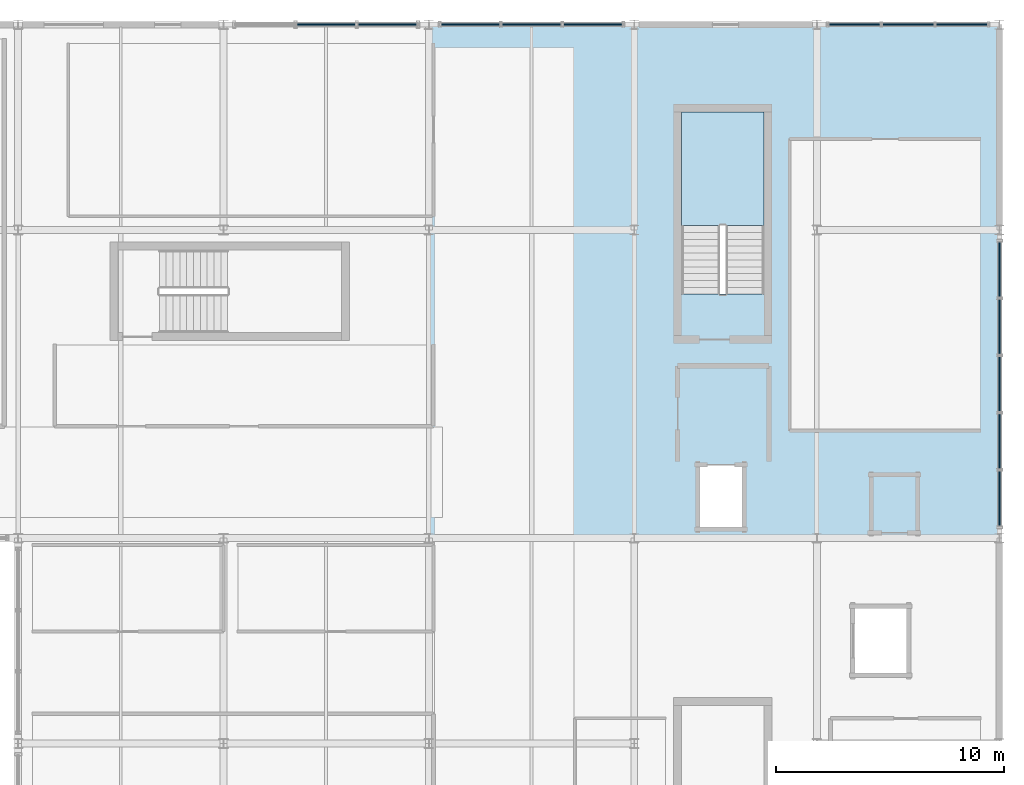
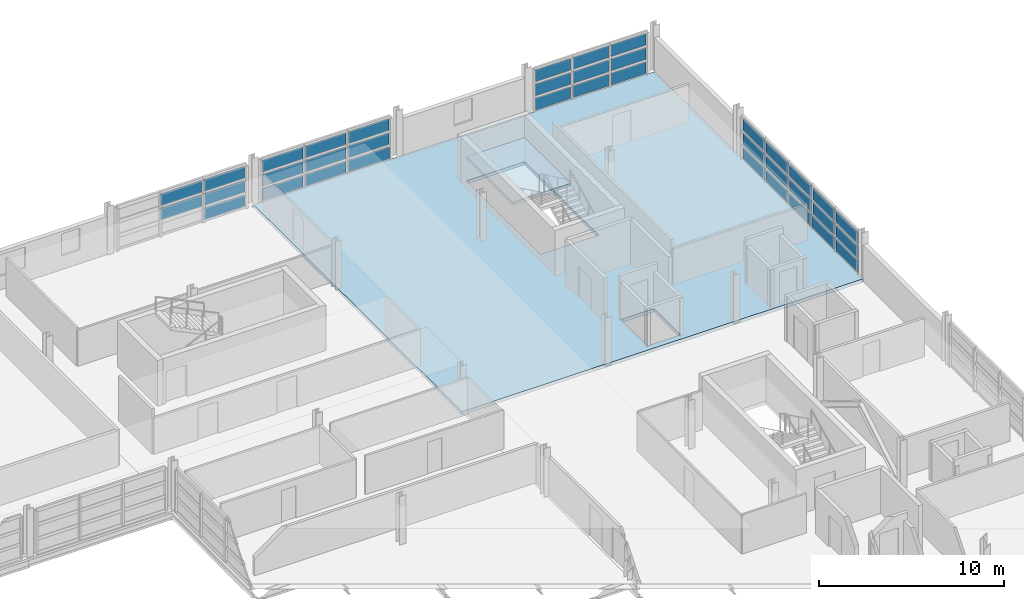
# One storey, part 60 of 86: 38 plates, 2 slabs, 5 elements without a shape of their own.
"""IFC4 building model written with IfcOpenShell, lengths in metres."""

from ifc_helpers import new_model, si_unit, direction, frame, origin, origin_2d, place, context, subcontext, project, spatial, polyline, rectangle, outline, extrude, material, layer, layer_set, type_object, element, aggregate, save


model = new_model("IFC4")

# Units and contexts
model_context = context("Model", 3, precision=1e-05, world=origin(), true_north=direction((0.0, 1.0)))
body_context = subcontext(model_context, "Body", "Model", "MODEL_VIEW")
ifc_project = project(units=[si_unit("LENGTHUNIT", "METRE"), si_unit("AREAUNIT", "SQUARE_METRE"), si_unit("VOLUMEUNIT", "CUBIC_METRE"), si_unit("PLANEANGLEUNIT", "RADIAN"), si_unit("MASSUNIT", "GRAM", prefix="KILO")], contexts=[model_context])

# Site, building, storey
site_placement = place(None, origin())
site = spatial("IfcSite", under=ifc_project, at=site_placement, CompositionType="ELEMENT")
building_placement = place(site_placement, origin())
building = spatial("IfcBuilding", under=site, at=building_placement, Name="Chuanluo Vaults Station", CompositionType="ELEMENT")
storey_placement = place(building_placement, frame((0.0, 0.0, 14.39990234375)))
storey = spatial("IfcBuildingStorey", under=building, at=storey_placement, Name="L03", CompositionType="ELEMENT", Elevation=14.39990234375)

# Curtain wall, plate
ifc_material_1 = material(Name="Anodised aluminium 6063-T6", Category="aluminium")
curtain_wall_type_1 = type_object("IfcCurtainWallType", Name="CW-SYS-05", PredefinedType="NOTDEFINED", material=ifc_material_1)
curtain_wall_1_placement = place(storey_placement, origin())
curtain_wall_1 = element("IfcCurtainWall", 1, at=curtain_wall_1_placement, inside=storey, type_object=curtain_wall_type_1, Name="Operations L03 facade CW", PredefinedType="NOTDEFINED")
ifc_material_2 = material(Name="Ceramic-fritted spandrel glass", Category="glass")
ifc_layer_1 = layer(ifc_material_2, 0.06396484375)
ifc_layer_set_1 = layer_set([ifc_layer_1], Name="Ceramic-fritted spandrel glass")
plate_type_1 = type_object("IfcPlateType", Name="CWP-SPN-42", PredefinedType="SHEET", material=ifc_layer_set_1)
plate_1_placement = place(storey_placement, frame((161.183349609375, 126.0, 0.080078125), z_axis=(0.0, 0.0, 1.0), x_axis=(1.0, 0.0, 0.0)))
plate_1 = element("IfcPlate", 2, at=plate_1_placement, type_object=plate_type_1, Name="Operations L03 facade CW glazed panel 3.1", PredefinedType="SHEET", context=body_context, shape_type="SweptSolid", body=[
    extrude(rectangle(XDim=2.523193359375, YDim=0.06396484375, at=origin_2d()), origin(), (0.0, 0.0, 1.0), 0.773193359375),
])

# Curtain wall, plates
ifc_material_3 = material(Name="Anodised aluminium 6063-T6", Category="aluminium")
curtain_wall_type_2 = type_object("IfcCurtainWallType", Name="CW-SYS-07", PredefinedType="NOTDEFINED", material=ifc_material_3)
curtain_wall_2_placement = place(storey_placement, origin())
curtain_wall_2 = element("IfcCurtainWall", 3, at=curtain_wall_2_placement, inside=storey, type_object=curtain_wall_type_2, Name="Operations L03 facade CW", PredefinedType="NOTDEFINED")
plate_2_placement = place(storey_placement, frame((181.64990234375, 126.0, 0.080078125), z_axis=(0.0, 0.0, 1.0), x_axis=(1.0, 0.0, 0.0)))
plate_2 = element("IfcPlate", 4, at=plate_2_placement, type_object=plate_type_1, Name="Operations L03 facade CW glazed panel 1.1", PredefinedType="SHEET", context=body_context, shape_type="SweptSolid", body=[
    extrude(rectangle(XDim=2.18994140625, YDim=0.06396484375, at=origin_2d()), origin(), (0.0, 0.0, 1.0), 0.773193359375),
])
plate_3_placement = place(storey_placement, frame((184.0, 126.0, 0.080078125), z_axis=(0.0, 0.0, 1.0), x_axis=(1.0, 0.0, 0.0)))
plate_3 = element("IfcPlate", 5, at=plate_3_placement, type_object=plate_type_1, Name="Operations L03 facade CW glazed panel 2.1", PredefinedType="SHEET", context=body_context, shape_type="SweptSolid", body=[
    extrude(rectangle(XDim=2.18994140625, YDim=0.06396484375, at=origin_2d()), origin(), (0.0, 0.0, 1.0), 0.773193359375),
])
plate_4_placement = place(storey_placement, frame((186.35009765625, 126.0, 0.080078125), z_axis=(0.0, 0.0, 1.0), x_axis=(1.0, 0.0, 0.0)))
plate_4 = element("IfcPlate", 6, at=plate_4_placement, type_object=plate_type_1, Name="Operations L03 facade CW glazed panel 3.1", PredefinedType="SHEET", context=body_context, shape_type="SweptSolid", body=[
    extrude(rectangle(XDim=2.18994140625, YDim=0.06396484375, at=origin_2d()), origin(), (0.0, 0.0, 1.0), 0.773193359375),
])

ifc_material_4 = material(Name="Anodised aluminium 6063-T6", Category="aluminium")
curtain_wall_type_3 = type_object("IfcCurtainWallType", Name="CW-SYS-06", PredefinedType="NOTDEFINED", material=ifc_material_4)
curtain_wall_3_placement = place(storey_placement, origin())
curtain_wall_3 = element("IfcCurtainWall", 7, at=curtain_wall_3_placement, inside=storey, type_object=curtain_wall_type_3, Name="Operations L03 facade CW", PredefinedType="NOTDEFINED")
ifc_material_5 = material(Name="Ceramic-fritted spandrel glass", Category="glass")
ifc_layer_2 = layer(ifc_material_5, 0.070068359375)
ifc_layer_set_2 = layer_set([ifc_layer_2], Name="Ceramic-fritted spandrel glass")
plate_type_2 = type_object("IfcPlateType", Name="CWP-SPN-50", PredefinedType="SHEET", material=ifc_layer_set_2)
plate_5_placement = place(storey_placement, frame((164.816650390625, 126.0, 0.080078125), z_axis=(0.0, 0.0, 1.0), x_axis=(1.0, 0.0, 0.0)))
plate_5 = element("IfcPlate", 8, at=plate_5_placement, type_object=plate_type_2, Name="Operations L03 facade CW glazed panel 1.1", PredefinedType="SHEET", context=body_context, shape_type="SweptSolid", body=[
    extrude(rectangle(XDim=2.523193359375, YDim=0.070068359375, at=origin_2d()), origin(), (0.0, 0.0, 1.0), 0.773193359375),
])
plate_6_placement = place(storey_placement, frame((167.5, 126.0, 0.080078125), z_axis=(0.0, 0.0, 1.0), x_axis=(1.0, 0.0, 0.0)))
plate_6 = element("IfcPlate", 9, at=plate_6_placement, type_object=plate_type_2, Name="Operations L03 facade CW glazed panel 2.1", PredefinedType="SHEET", context=body_context, shape_type="SweptSolid", body=[
    extrude(rectangle(XDim=2.523193359375, YDim=0.070068359375, at=origin_2d()), origin(), (0.0, 0.0, 1.0), 0.773193359375),
])
plate_7_placement = place(storey_placement, frame((170.183349609375, 126.0, 0.080078125), z_axis=(0.0, 0.0, 1.0), x_axis=(1.0, 0.0, 0.0)))
plate_7 = element("IfcPlate", 10, at=plate_7_placement, type_object=plate_type_2, Name="Operations L03 facade CW glazed panel 3.1", PredefinedType="SHEET", context=body_context, shape_type="SweptSolid", body=[
    extrude(rectangle(XDim=2.523193359375, YDim=0.070068359375, at=origin_2d()), origin(), (0.0, 0.0, 1.0), 0.773193359375),
])

ifc_material_6 = material(Name="Anodised aluminium 6063-T6", Category="aluminium")
curtain_wall_type_4 = type_object("IfcCurtainWallType", Name="CW-SYS-10", PredefinedType="NOTDEFINED", material=ifc_material_6)
curtain_wall_4_placement = place(storey_placement, origin())
curtain_wall_4 = element("IfcCurtainWall", 11, at=curtain_wall_4_placement, inside=storey, type_object=curtain_wall_type_4, Name="Operations L03 facade CW", PredefinedType="NOTDEFINED")
plate_8_placement = place(storey_placement, frame((188.0, 115.27001953125, 0.080078125), z_axis=(0.0, 0.0, 1.0), x_axis=(0.0, -1.0, 0.0)))
plate_8 = element("IfcPlate", 12, at=plate_8_placement, type_object=plate_type_2, Name="Operations L03 facade CW glazed panel 1.1", PredefinedType="SHEET", context=body_context, shape_type="SweptSolid", body=[
    extrude(rectangle(XDim=2.35009765625, YDim=0.070068359375, at=origin_2d()), origin(), (0.0, 0.0, 1.0), 0.773193359375),
])
plate_9_placement = place(storey_placement, frame((188.0, 112.760009765625, 0.080078125), z_axis=(0.0, 0.0, 1.0), x_axis=(0.0, -1.0, 0.0)))
plate_9 = element("IfcPlate", 13, at=plate_9_placement, type_object=plate_type_2, Name="Operations L03 facade CW glazed panel 2.1", PredefinedType="SHEET", context=body_context, shape_type="SweptSolid", body=[
    extrude(rectangle(XDim=2.35009765625, YDim=0.070068359375, at=origin_2d()), origin(), (0.0, 0.0, 1.0), 0.773193359375),
])
plate_10_placement = place(storey_placement, frame((188.0, 110.25, 0.080078125), z_axis=(0.0, 0.0, 1.0), x_axis=(0.0, -1.0, 0.0)))
plate_10 = element("IfcPlate", 14, at=plate_10_placement, type_object=plate_type_2, Name="Operations L03 facade CW glazed panel 3.1", PredefinedType="SHEET", context=body_context, shape_type="SweptSolid", body=[
    extrude(rectangle(XDim=2.35009765625, YDim=0.070068359375, at=origin_2d()), origin(), (0.0, 0.0, 1.0), 0.773193359375),
])
plate_11_placement = place(storey_placement, frame((188.0, 107.739990234375, 0.080078125), z_axis=(0.0, 0.0, 1.0), x_axis=(0.0, -1.0, 0.0)))
plate_11 = element("IfcPlate", 15, at=plate_11_placement, type_object=plate_type_2, Name="Operations L03 facade CW glazed panel 4.1", PredefinedType="SHEET", context=body_context, shape_type="SweptSolid", body=[
    extrude(rectangle(XDim=2.35009765625, YDim=0.070068359375, at=origin_2d()), origin(), (0.0, 0.0, 1.0), 0.773193359375),
])
plate_12_placement = place(storey_placement, frame((188.0, 105.22998046875, 0.080078125), z_axis=(0.0, 0.0, 1.0), x_axis=(0.0, -1.0, 0.0)))
plate_12 = element("IfcPlate", 16, at=plate_12_placement, type_object=plate_type_2, Name="Operations L03 facade CW glazed panel 5.1", PredefinedType="SHEET", context=body_context, shape_type="SweptSolid", body=[
    extrude(rectangle(XDim=2.35009765625, YDim=0.070068359375, at=origin_2d()), origin(), (0.0, 0.0, 1.0), 0.773193359375),
])

# Plate
ifc_material_7 = material(Name="Double-silver Low-E laminated glass", Category="glass")
ifc_layer_3 = layer(ifc_material_7, 0.048095703125)
ifc_layer_set_3 = layer_set([ifc_layer_3], Name="Double-silver Low-E laminated glass")
plate_type_3 = type_object("IfcPlateType", Name="CWP-VIS-32", PredefinedType="CURTAIN_PANEL", material=ifc_layer_set_3)
plate_13_placement = place(storey_placement, frame((181.64990234375, 126.0, 1.013427734375), z_axis=(0.0, 0.0, 1.0), x_axis=(1.0, 0.0, 0.0)))
plate_13 = element("IfcPlate", 17, at=plate_13_placement, type_object=plate_type_3, Name="Operations L03 facade CW glazed panel 1.2", PredefinedType="CURTAIN_PANEL", context=body_context, shape_type="SweptSolid", body=[
    extrude(rectangle(XDim=2.18994140625, YDim=0.048095703125, at=origin_2d()), origin(), (0.0, 0.0, 1.0), 0.7734375),
])

plate_14_placement = place(storey_placement, frame((181.64990234375, 126.0, 1.94677734375), z_axis=(0.0, 0.0, 1.0), x_axis=(1.0, 0.0, 0.0)))
plate_14 = element("IfcPlate", 18, at=plate_14_placement, type_object=plate_type_3, Name="Operations L03 facade CW glazed panel 1.3", PredefinedType="CURTAIN_PANEL", context=body_context, shape_type="SweptSolid", body=[
    extrude(rectangle(XDim=2.18994140625, YDim=0.048095703125, at=origin_2d()), origin(), (0.0, 0.0, 1.0), 0.773193359375),
])

plate_15_placement = place(storey_placement, frame((184.0, 126.0, 1.013427734375), z_axis=(0.0, 0.0, 1.0), x_axis=(1.0, 0.0, 0.0)))
plate_15 = element("IfcPlate", 19, at=plate_15_placement, type_object=plate_type_3, Name="Operations L03 facade CW glazed panel 2.2", PredefinedType="CURTAIN_PANEL", context=body_context, shape_type="SweptSolid", body=[
    extrude(rectangle(XDim=2.18994140625, YDim=0.048095703125, at=origin_2d()), origin(), (0.0, 0.0, 1.0), 0.7734375),
])

plate_16_placement = place(storey_placement, frame((184.0, 126.0, 1.94677734375), z_axis=(0.0, 0.0, 1.0), x_axis=(1.0, 0.0, 0.0)))
plate_16 = element("IfcPlate", 20, at=plate_16_placement, type_object=plate_type_3, Name="Operations L03 facade CW glazed panel 2.3", PredefinedType="CURTAIN_PANEL", context=body_context, shape_type="SweptSolid", body=[
    extrude(rectangle(XDim=2.18994140625, YDim=0.048095703125, at=origin_2d()), origin(), (0.0, 0.0, 1.0), 0.773193359375),
])

plate_17_placement = place(storey_placement, frame((186.35009765625, 126.0, 1.013427734375), z_axis=(0.0, 0.0, 1.0), x_axis=(1.0, 0.0, 0.0)))
plate_17 = element("IfcPlate", 21, at=plate_17_placement, type_object=plate_type_3, Name="Operations L03 facade CW glazed panel 3.2", PredefinedType="CURTAIN_PANEL", context=body_context, shape_type="SweptSolid", body=[
    extrude(rectangle(XDim=2.18994140625, YDim=0.048095703125, at=origin_2d()), origin(), (0.0, 0.0, 1.0), 0.7734375),
])

plate_18_placement = place(storey_placement, frame((186.35009765625, 126.0, 1.94677734375), z_axis=(0.0, 0.0, 1.0), x_axis=(1.0, 0.0, 0.0)))
plate_18 = element("IfcPlate", 22, at=plate_18_placement, type_object=plate_type_3, Name="Operations L03 facade CW glazed panel 3.3", PredefinedType="CURTAIN_PANEL", context=body_context, shape_type="SweptSolid", body=[
    extrude(rectangle(XDim=2.18994140625, YDim=0.048095703125, at=origin_2d()), origin(), (0.0, 0.0, 1.0), 0.773193359375),
])

aggregate(curtain_wall_2, [plate_2, plate_13, plate_14, plate_3, plate_15, plate_16, plate_4, plate_17, plate_18])

ifc_material_8 = material(Name="Double-silver Low-E laminated glass", Category="glass")
ifc_layer_4 = layer(ifc_material_8, 0.053955078125)
ifc_layer_set_4 = layer_set([ifc_layer_4], Name="Double-silver Low-E laminated glass")
plate_type_4 = type_object("IfcPlateType", Name="CWP-VIS-36", PredefinedType="CURTAIN_PANEL", material=ifc_layer_set_4)
plate_19_placement = place(storey_placement, frame((164.816650390625, 126.0, 1.013427734375), z_axis=(0.0, 0.0, 1.0), x_axis=(1.0, 0.0, 0.0)))
plate_19 = element("IfcPlate", 23, at=plate_19_placement, type_object=plate_type_4, Name="Operations L03 facade CW glazed panel 1.2", PredefinedType="CURTAIN_PANEL", context=body_context, shape_type="SweptSolid", body=[
    extrude(rectangle(XDim=2.523193359375, YDim=0.053955078125, at=origin_2d()), origin(), (0.0, 0.0, 1.0), 0.7734375),
])

plate_20_placement = place(storey_placement, frame((164.816650390625, 126.0, 1.94677734375), z_axis=(0.0, 0.0, 1.0), x_axis=(1.0, 0.0, 0.0)))
plate_20 = element("IfcPlate", 24, at=plate_20_placement, type_object=plate_type_4, Name="Operations L03 facade CW glazed panel 1.3", PredefinedType="CURTAIN_PANEL", context=body_context, shape_type="SweptSolid", body=[
    extrude(rectangle(XDim=2.523193359375, YDim=0.053955078125, at=origin_2d()), origin(), (0.0, 0.0, 1.0), 0.773193359375),
])

plate_21_placement = place(storey_placement, frame((167.5, 126.0, 1.013427734375), z_axis=(0.0, 0.0, 1.0), x_axis=(1.0, 0.0, 0.0)))
plate_21 = element("IfcPlate", 25, at=plate_21_placement, type_object=plate_type_4, Name="Operations L03 facade CW glazed panel 2.2", PredefinedType="CURTAIN_PANEL", context=body_context, shape_type="SweptSolid", body=[
    extrude(rectangle(XDim=2.523193359375, YDim=0.053955078125, at=origin_2d()), origin(), (0.0, 0.0, 1.0), 0.7734375),
])

plate_22_placement = place(storey_placement, frame((167.5, 126.0, 1.94677734375), z_axis=(0.0, 0.0, 1.0), x_axis=(1.0, 0.0, 0.0)))
plate_22 = element("IfcPlate", 26, at=plate_22_placement, type_object=plate_type_4, Name="Operations L03 facade CW glazed panel 2.3", PredefinedType="CURTAIN_PANEL", context=body_context, shape_type="SweptSolid", body=[
    extrude(rectangle(XDim=2.523193359375, YDim=0.053955078125, at=origin_2d()), origin(), (0.0, 0.0, 1.0), 0.773193359375),
])

plate_23_placement = place(storey_placement, frame((170.183349609375, 126.0, 1.013427734375), z_axis=(0.0, 0.0, 1.0), x_axis=(1.0, 0.0, 0.0)))
plate_23 = element("IfcPlate", 27, at=plate_23_placement, type_object=plate_type_4, Name="Operations L03 facade CW glazed panel 3.2", PredefinedType="CURTAIN_PANEL", context=body_context, shape_type="SweptSolid", body=[
    extrude(rectangle(XDim=2.523193359375, YDim=0.053955078125, at=origin_2d()), origin(), (0.0, 0.0, 1.0), 0.7734375),
])

plate_24_placement = place(storey_placement, frame((170.183349609375, 126.0, 1.94677734375), z_axis=(0.0, 0.0, 1.0), x_axis=(1.0, 0.0, 0.0)))
plate_24 = element("IfcPlate", 28, at=plate_24_placement, type_object=plate_type_4, Name="Operations L03 facade CW glazed panel 3.3", PredefinedType="CURTAIN_PANEL", context=body_context, shape_type="SweptSolid", body=[
    extrude(rectangle(XDim=2.523193359375, YDim=0.053955078125, at=origin_2d()), origin(), (0.0, 0.0, 1.0), 0.773193359375),
])

aggregate(curtain_wall_3, [plate_5, plate_19, plate_20, plate_6, plate_21, plate_22, plate_7, plate_23, plate_24])

plate_25_placement = place(storey_placement, frame((188.0, 115.27001953125, 1.013427734375), z_axis=(0.0, 0.0, 1.0), x_axis=(0.0, -1.0, 0.0)))
plate_25 = element("IfcPlate", 29, at=plate_25_placement, type_object=plate_type_4, Name="Operations L03 facade CW glazed panel 1.2", PredefinedType="CURTAIN_PANEL", context=body_context, shape_type="SweptSolid", body=[
    extrude(rectangle(XDim=2.35009765625, YDim=0.053955078125, at=origin_2d()), origin(), (0.0, 0.0, 1.0), 0.7734375),
])

plate_26_placement = place(storey_placement, frame((188.0, 115.27001953125, 1.94677734375), z_axis=(0.0, 0.0, 1.0), x_axis=(0.0, -1.0, 0.0)))
plate_26 = element("IfcPlate", 30, at=plate_26_placement, type_object=plate_type_4, Name="Operations L03 facade CW glazed panel 1.3", PredefinedType="CURTAIN_PANEL", context=body_context, shape_type="SweptSolid", body=[
    extrude(rectangle(XDim=2.35009765625, YDim=0.053955078125, at=origin_2d()), origin(), (0.0, 0.0, 1.0), 0.773193359375),
])

plate_27_placement = place(storey_placement, frame((188.0, 112.760009765625, 1.013427734375), z_axis=(0.0, 0.0, 1.0), x_axis=(0.0, -1.0, 0.0)))
plate_27 = element("IfcPlate", 31, at=plate_27_placement, type_object=plate_type_4, Name="Operations L03 facade CW glazed panel 2.2", PredefinedType="CURTAIN_PANEL", context=body_context, shape_type="SweptSolid", body=[
    extrude(rectangle(XDim=2.35009765625, YDim=0.053955078125, at=origin_2d()), origin(), (0.0, 0.0, 1.0), 0.7734375),
])

plate_28_placement = place(storey_placement, frame((188.0, 112.760009765625, 1.94677734375), z_axis=(0.0, 0.0, 1.0), x_axis=(0.0, -1.0, 0.0)))
plate_28 = element("IfcPlate", 32, at=plate_28_placement, type_object=plate_type_4, Name="Operations L03 facade CW glazed panel 2.3", PredefinedType="CURTAIN_PANEL", context=body_context, shape_type="SweptSolid", body=[
    extrude(rectangle(XDim=2.35009765625, YDim=0.053955078125, at=origin_2d()), origin(), (0.0, 0.0, 1.0), 0.773193359375),
])

plate_29_placement = place(storey_placement, frame((188.0, 110.25, 1.013427734375), z_axis=(0.0, 0.0, 1.0), x_axis=(0.0, -1.0, 0.0)))
plate_29 = element("IfcPlate", 33, at=plate_29_placement, type_object=plate_type_4, Name="Operations L03 facade CW glazed panel 3.2", PredefinedType="CURTAIN_PANEL", context=body_context, shape_type="SweptSolid", body=[
    extrude(rectangle(XDim=2.35009765625, YDim=0.053955078125, at=origin_2d()), origin(), (0.0, 0.0, 1.0), 0.7734375),
])

plate_30_placement = place(storey_placement, frame((188.0, 110.25, 1.94677734375), z_axis=(0.0, 0.0, 1.0), x_axis=(0.0, -1.0, 0.0)))
plate_30 = element("IfcPlate", 34, at=plate_30_placement, type_object=plate_type_4, Name="Operations L03 facade CW glazed panel 3.3", PredefinedType="CURTAIN_PANEL", context=body_context, shape_type="SweptSolid", body=[
    extrude(rectangle(XDim=2.35009765625, YDim=0.053955078125, at=origin_2d()), origin(), (0.0, 0.0, 1.0), 0.773193359375),
])

plate_31_placement = place(storey_placement, frame((188.0, 107.739990234375, 1.013427734375), z_axis=(0.0, 0.0, 1.0), x_axis=(0.0, -1.0, 0.0)))
plate_31 = element("IfcPlate", 35, at=plate_31_placement, type_object=plate_type_4, Name="Operations L03 facade CW glazed panel 4.2", PredefinedType="CURTAIN_PANEL", context=body_context, shape_type="SweptSolid", body=[
    extrude(rectangle(XDim=2.35009765625, YDim=0.053955078125, at=origin_2d()), origin(), (0.0, 0.0, 1.0), 0.7734375),
])

plate_32_placement = place(storey_placement, frame((188.0, 107.739990234375, 1.94677734375), z_axis=(0.0, 0.0, 1.0), x_axis=(0.0, -1.0, 0.0)))
plate_32 = element("IfcPlate", 36, at=plate_32_placement, type_object=plate_type_4, Name="Operations L03 facade CW glazed panel 4.3", PredefinedType="CURTAIN_PANEL", context=body_context, shape_type="SweptSolid", body=[
    extrude(rectangle(XDim=2.35009765625, YDim=0.053955078125, at=origin_2d()), origin(), (0.0, 0.0, 1.0), 0.773193359375),
])

plate_33_placement = place(storey_placement, frame((188.0, 105.22998046875, 1.013427734375), z_axis=(0.0, 0.0, 1.0), x_axis=(0.0, -1.0, 0.0)))
plate_33 = element("IfcPlate", 37, at=plate_33_placement, type_object=plate_type_4, Name="Operations L03 facade CW glazed panel 5.2", PredefinedType="CURTAIN_PANEL", context=body_context, shape_type="SweptSolid", body=[
    extrude(rectangle(XDim=2.35009765625, YDim=0.053955078125, at=origin_2d()), origin(), (0.0, 0.0, 1.0), 0.7734375),
])

plate_34_placement = place(storey_placement, frame((188.0, 105.22998046875, 1.94677734375), z_axis=(0.0, 0.0, 1.0), x_axis=(0.0, -1.0, 0.0)))
plate_34 = element("IfcPlate", 38, at=plate_34_placement, type_object=plate_type_4, Name="Operations L03 facade CW glazed panel 5.3", PredefinedType="CURTAIN_PANEL", context=body_context, shape_type="SweptSolid", body=[
    extrude(rectangle(XDim=2.35009765625, YDim=0.053955078125, at=origin_2d()), origin(), (0.0, 0.0, 1.0), 0.773193359375),
])

aggregate(curtain_wall_4, [plate_8, plate_25, plate_26, plate_9, plate_27, plate_28, plate_10, plate_29, plate_30, plate_11, plate_31, plate_32, plate_12, plate_33, plate_34])

ifc_material_9 = material(Name="Double-silver Low-E laminated glass", Category="glass")
ifc_layer_5 = layer(ifc_material_9, 0.05810546875)
ifc_layer_set_5 = layer_set([ifc_layer_5], Name="Double-silver Low-E laminated glass")
plate_type_5 = type_object("IfcPlateType", Name="CWP-VIS-38", PredefinedType="CURTAIN_PANEL", material=ifc_layer_set_5)
plate_35_placement = place(storey_placement, frame((158.5, 126.0, 1.013427734375), z_axis=(0.0, 0.0, 1.0), x_axis=(1.0, 0.0, 0.0)))
plate_35 = element("IfcPlate", 39, at=plate_35_placement, type_object=plate_type_5, Name="Operations L03 facade CW glazed panel 2.2", PredefinedType="CURTAIN_PANEL", context=body_context, shape_type="SweptSolid", body=[
    extrude(rectangle(XDim=2.523193359375, YDim=0.05810546875, at=origin_2d()), origin(), (0.0, 0.0, 1.0), 0.7734375),
])

plate_36_placement = place(storey_placement, frame((158.5, 126.0, 1.94677734375), z_axis=(0.0, 0.0, 1.0), x_axis=(1.0, 0.0, 0.0)))
plate_36 = element("IfcPlate", 40, at=plate_36_placement, type_object=plate_type_5, Name="Operations L03 facade CW glazed panel 2.3", PredefinedType="CURTAIN_PANEL", context=body_context, shape_type="SweptSolid", body=[
    extrude(rectangle(XDim=2.523193359375, YDim=0.05810546875, at=origin_2d()), origin(), (0.0, 0.0, 1.0), 0.773193359375),
])

plate_37_placement = place(storey_placement, frame((161.183349609375, 126.0, 1.013427734375), z_axis=(0.0, 0.0, 1.0), x_axis=(1.0, 0.0, 0.0)))
plate_37 = element("IfcPlate", 41, at=plate_37_placement, type_object=plate_type_5, Name="Operations L03 facade CW glazed panel 3.2", PredefinedType="CURTAIN_PANEL", context=body_context, shape_type="SweptSolid", body=[
    extrude(rectangle(XDim=2.523193359375, YDim=0.05810546875, at=origin_2d()), origin(), (0.0, 0.0, 1.0), 0.7734375),
])

plate_38_placement = place(storey_placement, frame((161.183349609375, 126.0, 1.94677734375), z_axis=(0.0, 0.0, 1.0), x_axis=(1.0, 0.0, 0.0)))
plate_38 = element("IfcPlate", 42, at=plate_38_placement, type_object=plate_type_5, Name="Operations L03 facade CW glazed panel 3.3", PredefinedType="CURTAIN_PANEL", context=body_context, shape_type="SweptSolid", body=[
    extrude(rectangle(XDim=2.523193359375, YDim=0.05810546875, at=origin_2d()), origin(), (0.0, 0.0, 1.0), 0.773193359375),
])

aggregate(curtain_wall_1, [plate_35, plate_36, plate_1, plate_37, plate_38])

# Stair, slab
ifc_material_10 = material(Name="Concrete C40", Category="concrete")
stair_type = type_object("IfcStairType", Name="STR-TWO-1600", PredefinedType="HALF_TURN_STAIR", material=ifc_material_10)
stair_placement = place(storey_placement, origin())
stair = element("IfcStair", 43, at=stair_placement, inside=storey, type_object=stair_type, Name="L03 ST-02", PredefinedType="HALF_TURN_STAIR")
ifc_material_11 = material(Name="Concrete C40", Category="concrete")
ifc_layer_6 = layer(ifc_material_11, 0.199951171875)
ifc_layer_set_6 = layer_set([ifc_layer_6], Name="Concrete C40")
slab_type_1 = type_object("IfcSlabType", Name="SLB-LND-200", PredefinedType="LANDING", material=ifc_layer_set_6)
slab_1_placement = place(storey_placement, frame((0.0, 0.0, 1.400146484375)))
slab_1 = element("IfcSlab", 44, at=slab_1_placement, type_object=slab_type_1, Name="ST-02 landing 1", PredefinedType="LANDING", context=body_context, shape_type="SweptSolid", body=[
    extrude(outline(polyline([(177.6875, 117.1875), (177.6875, 122.172607421875), (174.0673828125, 122.172607421875), (174.0673828125, 117.1875), (177.6875, 117.1875)])), origin(), (0.0, 0.0, 1.0), 0.199951171875),
])
aggregate(stair, [slab_1])

# Slab
ifc_material_12 = material(Name="Concrete C40", Category="concrete")
ifc_layer_7 = layer(ifc_material_12, 0.219970703125)
ifc_layer_set_7 = layer_set([ifc_layer_7], Name="Concrete C40")
slab_type_2 = type_object("IfcSlabType", Name="SLB-OPS-220", PredefinedType="FLOOR", material=ifc_layer_set_7)
slab_2_placement = place(storey_placement, frame((0.0, 0.0, -0.219970703125)))
element("IfcSlab", 45, at=slab_2_placement, inside=storey, type_object=slab_type_2, Name="L03 OPS slab 04", PredefinedType="FLOOR", context=body_context, shape_type="SweptSolid", body=[
    extrude(outline(polyline([(163.0, 103.5), (188.0, 103.5), (188.0, 126.0), (163.0, 126.0), (163.0, 103.5)]), holes=[polyline([(177.6875, 114.19140625), (177.6875, 122.172607421875), (174.0673828125, 122.172607421875), (174.0673828125, 114.19140625), (177.6875, 114.19140625)]), polyline([(174.780029296875, 103.8798828125), (176.820068359375, 103.8798828125), (176.820068359375, 106.719970703125), (174.780029296875, 106.719970703125), (174.780029296875, 103.8798828125)])]), origin(), (0.0, 0.0, 1.0), 0.219970703125),
])

save(model, "model.ifc")
